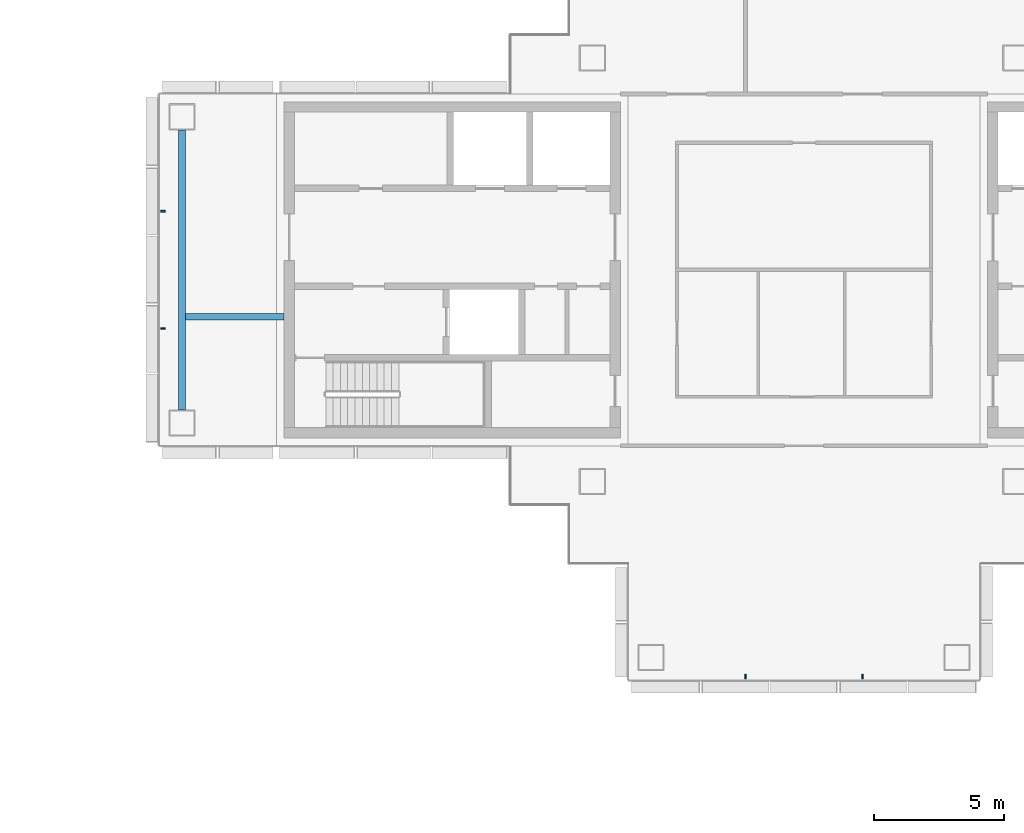
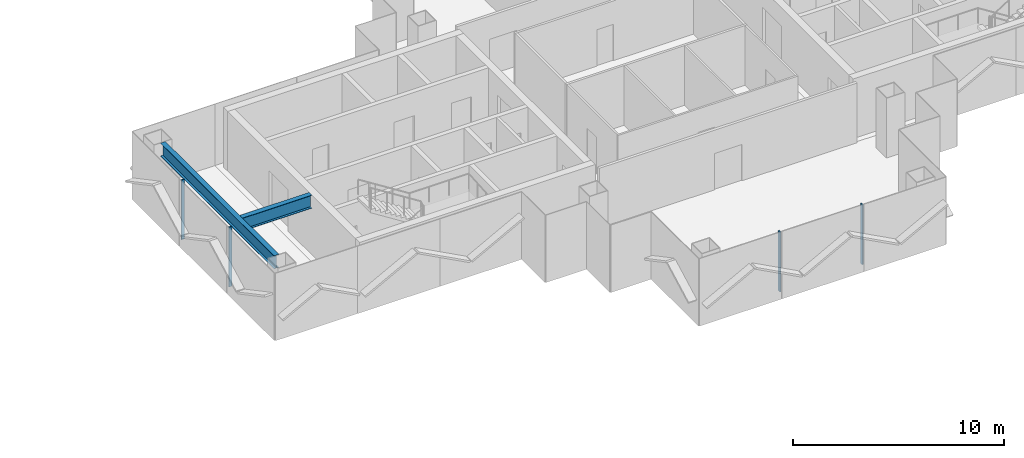
# One storey, part 5 of 17: 4 members, 2 beams, 2 elements without a shape of their own.
"""IFC4 building model written with IfcOpenShell, lengths in metres."""

from ifc_helpers import new_model, si_unit, direction, frame, origin, origin_2d, place, context, subcontext, project, spatial, rectangle, i_section, extrude, material, layer, layer_set, material_profile, profile_set, type_object, element, aggregate, save


model = new_model("IFC4")

# Units and contexts
model_context = context("Model", 3, precision=1e-05, world=origin(), true_north=direction((0.0, 1.0)))
body_context = subcontext(model_context, "Body", "Model", "MODEL_VIEW")
ifc_project = project(units=[si_unit("LENGTHUNIT", "METRE"), si_unit("AREAUNIT", "SQUARE_METRE"), si_unit("VOLUMEUNIT", "CUBIC_METRE"), si_unit("PLANEANGLEUNIT", "RADIAN"), si_unit("MASSUNIT", "GRAM", prefix="KILO")], contexts=[model_context])

# Site, building, storey
site_placement = place(None, origin())
site = spatial("IfcSite", under=ifc_project, at=site_placement, CompositionType="ELEMENT")
building_placement = place(site_placement, origin())
building = spatial("IfcBuilding", under=site, at=building_placement, Name="Shamsa Quay Exchange Towers", CompositionType="ELEMENT")
storey_placement = place(building_placement, frame((0.0, 0.0, 221.699951171875)))
storey = spatial("IfcBuildingStorey", under=building, at=storey_placement, Name="L53", CompositionType="ELEMENT", Elevation=221.699951171875)

# Curtain wall, members
ifc_material_1 = material(Name="Aluminium EN AW-6063 T6, black anodised", Category="aluminium")
ifc_layer = layer(ifc_material_1, 0.280029296875)
ifc_layer_set = layer_set([ifc_layer], Name="CW-1 UNITISED VISION GLASS")
curtain_wall_type = type_object("IfcCurtainWallType", Name="CW-1 UNITISED VISION GLASS", PredefinedType="NOTDEFINED", material=ifc_layer_set)
curtain_wall_1_placement = place(storey_placement, origin())
curtain_wall_1 = element("IfcCurtainWall", 1, at=curtain_wall_1_placement, inside=storey, type_object=curtain_wall_type, Name="CW1 T2-END-V+ L53", PredefinedType="NOTDEFINED")
ifc_material_profile_1 = material_profile(ifc_material_1, rectangle(XDim=0.179931640625, YDim=0.06005859375, at=origin_2d()), Name="MU60x180")
ifc_profile_set_1 = profile_set([ifc_material_profile_1], Name="Aluminium EN AW-6063 T6, black anodised")
member_type = type_object("IfcMemberType", Name="CW1 MULLION 60x180", PredefinedType="MULLION", material=ifc_profile_set_1)
member_1_placement = place(storey_placement, frame((9.14990234375, 2.25, 0.0)))
member_1 = element("IfcMember", 2, at=member_1_placement, type_object=member_type, Name="CW1 mullion", PredefinedType="MULLION", context=body_context, shape_type="SweptSolid", body=[
    extrude(rectangle(XDim=0.179931640625, YDim=0.06005859375, at=origin_2d()), origin(), (0.0, 0.0, 1.0), 3.449951171875),
])
member_2_placement = place(storey_placement, frame((9.14990234375, -2.25, 0.0)))
member_2 = element("IfcMember", 3, at=member_2_placement, type_object=member_type, Name="CW1 mullion", PredefinedType="MULLION", context=body_context, shape_type="SweptSolid", body=[
    extrude(rectangle(XDim=0.179931640625, YDim=0.06005859375, at=origin_2d()), origin(), (0.0, 0.0, 1.0), 3.449951171875),
])
aggregate(curtain_wall_1, [member_1, member_2])

curtain_wall_2_placement = place(storey_placement, origin())
curtain_wall_2 = element("IfcCurtainWall", 4, at=curtain_wall_2_placement, inside=storey, type_object=curtain_wall_type, Name="CW1 T2-END-U- L53", PredefinedType="NOTDEFINED")
member_3_placement = place(storey_placement, frame((31.5, -15.60009765625, 0.0), z_axis=(0.0, 0.0, 1.0), x_axis=(0.0, 1.0, 0.0)))
member_3 = element("IfcMember", 5, at=member_3_placement, type_object=member_type, Name="CW1 mullion", PredefinedType="MULLION", context=body_context, shape_type="SweptSolid", body=[
    extrude(rectangle(XDim=0.179931640625, YDim=0.06005859375, at=origin_2d()), origin(), (0.0, 0.0, 1.0), 3.449951171875),
])
member_4_placement = place(storey_placement, frame((36.0, -15.60009765625, 0.0), z_axis=(0.0, 0.0, 1.0), x_axis=(0.0, 1.0, 0.0)))
member_4 = element("IfcMember", 6, at=member_4_placement, type_object=member_type, Name="CW1 mullion", PredefinedType="MULLION", context=body_context, shape_type="SweptSolid", body=[
    extrude(rectangle(XDim=0.179931640625, YDim=0.06005859375, at=origin_2d()), origin(), (0.0, 0.0, 1.0), 3.449951171875),
])
aggregate(curtain_wall_2, [member_3, member_4])

# Beams
ifc_material_2 = material(Name="Steel S355", Category="steel")
ifc_material_profile_2 = material_profile(ifc_material_2, i_section(OverallWidth=0.26611328125, OverallDepth=0.7578125, WebThickness=0.013916015625, FlangeThickness=0.019287109375, at=origin_2d()), Name="W30x108")
ifc_profile_set_2 = profile_set([ifc_material_profile_2], Name="Steel S355")
beam_type = type_object("IfcBeamType", Name="End-zone beam W30x108", PredefinedType="BEAM", material=ifc_profile_set_2)
beam_1_placement = place(storey_placement, frame((9.875, -5.375, 3.0712890625), z_axis=(0.0, 1.0, 0.0), x_axis=(-1.0, 0.0, 0.0)))
element("IfcBeam", 7, at=beam_1_placement, inside=storey, type_object=beam_type, Name="End beam T2 V+ end zone L53", PredefinedType="BEAM", context=body_context, shape_type="SweptSolid", body=[
    extrude(i_section(OverallWidth=0.26611328125, OverallDepth=0.7578125, WebThickness=0.013916015625, FlangeThickness=0.019287109375, at=origin_2d()), origin(), (0.0, 0.0, 1.0), 10.75),
])
beam_2_placement = place(storey_placement, frame((13.800048828125, -1.800048828125, 3.0712890625), z_axis=(-1.0, 0.0, 0.0), x_axis=(0.0, -1.0, 0.0)))
element("IfcBeam", 8, at=beam_2_placement, inside=storey, type_object=beam_type, Name="Spine beam T2 V+ end zone L53", PredefinedType="BEAM", context=body_context, shape_type="SweptSolid", body=[
    extrude(i_section(OverallWidth=0.26611328125, OverallDepth=0.7578125, WebThickness=0.013916015625, FlangeThickness=0.019287109375, at=origin_2d()), origin(), (0.0, 0.0, 1.0), 3.7919921875),
])

save(model, "model.ifc")
